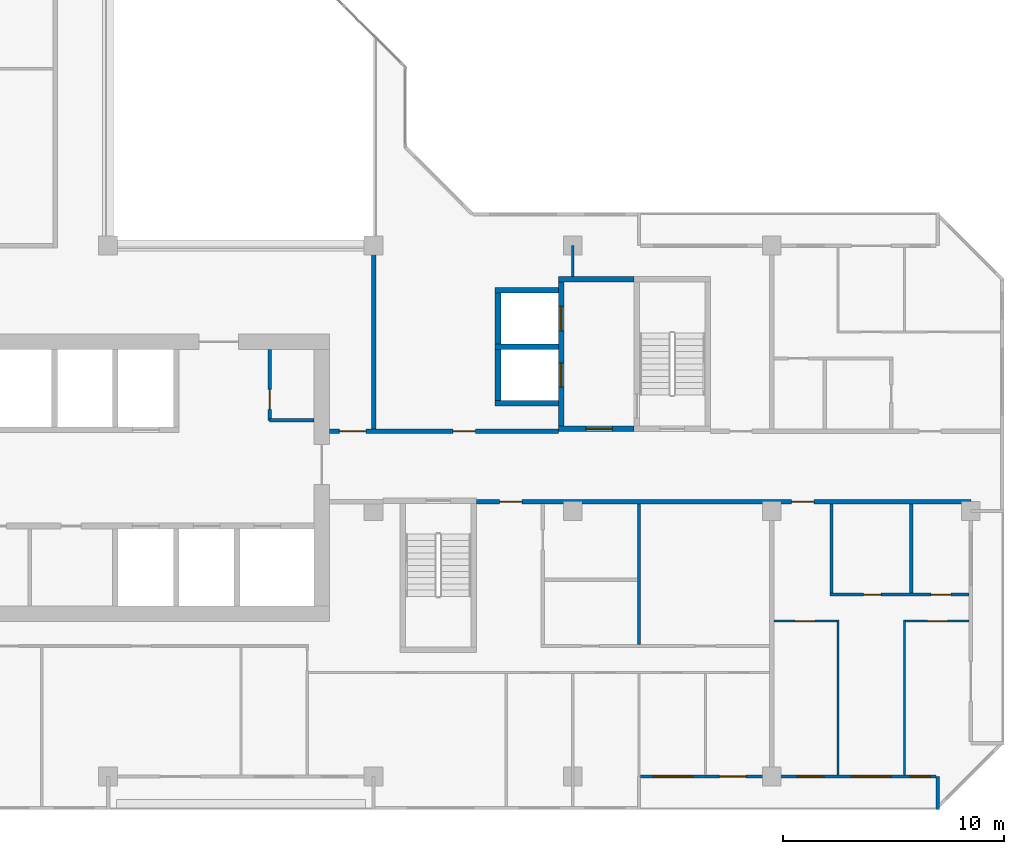
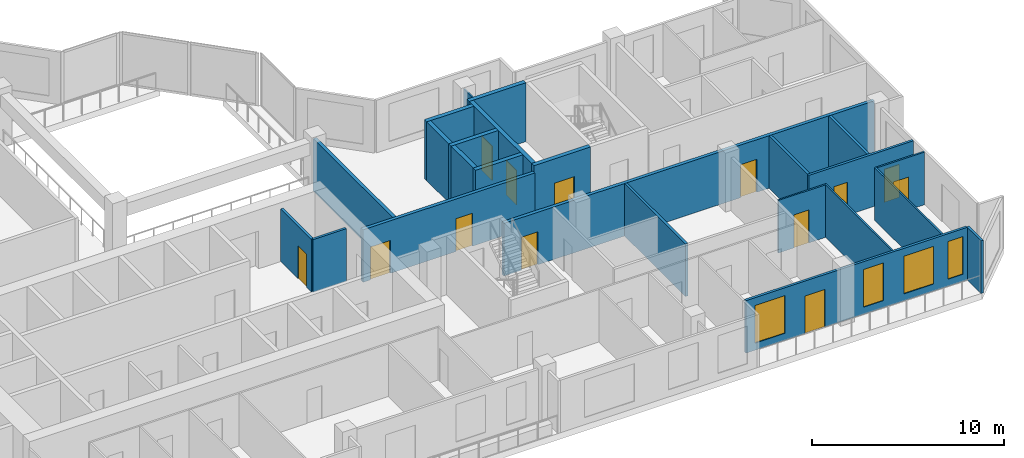
# One storey, part 7 of 16: 24 walls, 13 doors, 4 windows, 17 openings.
"""IFC4 building model written with IfcOpenShell, lengths in metres."""

from ifc_helpers import new_model, si_unit, direction, frame, frame_2d, origin, place, context, subcontext, project, spatial, rectangle, extrude, material, layer, layer_set, type_object, element, fill, save


model = new_model("IFC4")

# Units and contexts
model_context = context("Model", 3, precision=1e-05, world=origin(), true_north=direction((0.0, 1.0)))
body_context = subcontext(model_context, "Body", "Model", "MODEL_VIEW")
ifc_project = project(units=[si_unit("LENGTHUNIT", "METRE"), si_unit("AREAUNIT", "SQUARE_METRE"), si_unit("VOLUMEUNIT", "CUBIC_METRE"), si_unit("PLANEANGLEUNIT", "RADIAN"), si_unit("MASSUNIT", "GRAM", prefix="KILO")], contexts=[model_context])

# Site, building, storey
site_placement = place(None, origin())
site = spatial("IfcSite", under=ifc_project, at=site_placement, CompositionType="ELEMENT")
building_placement = place(site_placement, origin())
building = spatial("IfcBuilding", under=site, at=building_placement, Name="Chenar Terraces", CompositionType="ELEMENT")
storey_placement = place(building_placement, frame((0.0, 0.0, 222.89990234375)))
storey = spatial("IfcBuildingStorey", under=building, at=storey_placement, Name="L52", CompositionType="ELEMENT", Elevation=222.89990234375)

# Wall, opening, door
ifc_material_1 = material(Name="Gypsum board on steel studs", Category="steel")
ifc_layer_1 = layer(ifc_material_1, 0.14990234375)
ifc_layer_set_1 = layer_set([ifc_layer_1], Name="Gypsum board on steel studs")
wall_type_1 = type_object("IfcWallType", Name="Core partition 150 gypsum board", PredefinedType="PARTITIONING", material=ifc_layer_set_1)
wall_1_placement = place(storey_placement, frame((31.300048828125, 16.10009765625, 0.0), z_axis=(0.0, 0.0, 1.0), x_axis=(0.0, 1.0, 0.0)))
wall_1 = element("IfcWall", 1, at=wall_1_placement, inside=storey, type_object=wall_type_1, Name="Core partition CP1 vestibule room west wall", PredefinedType="PARTITIONING", context=body_context, shape_type="SweptSolid", body=[
    extrude(rectangle(XDim=3.199951171875, YDim=0.14990234375, at=frame_2d((1.60009765625, 0.0))), origin(), (0.0, 0.0, 1.0), 3.35009765625),
])
opening_1_placement = place(wall_1_placement, frame((0.5, 0.0, 0.0)))
opening_1 = element("IfcOpeningElement", 2, at=opening_1_placement, cuts=wall_1, Name="Opening DL52-C15", PredefinedType="OPENING", context=body_context, shape_type="SweptSolid", body=[
    extrude(rectangle(XDim=0.89990234375, YDim=2.10009765625, at=frame_2d((0.449951171875, 1.050048828125))), frame((0.0, 0.0849609375, 0.0), z_axis=(0.0, -1.0, 0.0), x_axis=(1.0, 0.0, 0.0)), (0.0, 0.0, 1.0), 0.169921875),
])
ifc_material_2 = material(Name="Steel-framed fire-resisting door leaf", Category="steel")
door_type_1 = type_object("IfcDoorType", Name="Riser fire door FD60 900 x 2100", OperationType="SINGLE_SWING_LEFT", PredefinedType="DOOR", material=ifc_material_2)
door_1_placement = place(opening_1_placement, frame((0.89990234375, 0.0, 0.0), z_axis=(0.0, 0.0, 1.0), x_axis=(-1.0, 0.0, 0.0)))
door_1 = element("IfcDoor", 3, at=door_1_placement, inside=storey, type_object=door_type_1, Name="Core room door DL52-C15", OperationType="SINGLE_SWING_RIGHT", OverallHeight=2.10009765625, OverallWidth=0.89990234375, PredefinedType="DOOR", context=body_context, shape_type="SweptSolid", body=[
    extrude(rectangle(XDim=0.89990234375, YDim=2.10009765625, at=frame_2d((0.449951171875, 1.050048828125))), frame((0.0, 0.02490234375, 0.0), z_axis=(0.0, -1.0, 0.0), x_axis=(1.0, 0.0, 0.0)), (0.0, 0.0, 1.0), 0.050048828125),
])
fill(opening_1, door_1)

# Wall
wall_2_placement = place(storey_placement, frame((31.300048828125, 16.10009765625, 0.0), z_axis=(0.0, 0.0, 1.0), x_axis=(1.0, 0.0, 0.0)))
element("IfcWall", 4, at=wall_2_placement, inside=storey, type_object=wall_type_1, Name="Core partition CP1 vestibule room south wall", PredefinedType="PARTITIONING", context=body_context, shape_type="SweptSolid", body=[
    extrude(rectangle(XDim=2.0, YDim=0.14990234375, at=frame_2d((1.0, 0.0))), origin(), (0.0, 0.0, 1.0), 3.35009765625),
])

# Wall, opening, door
ifc_material_3 = material(Name="Concrete C60/75", Category="concrete")
ifc_layer_2 = layer(ifc_material_3, 0.25)
ifc_layer_set_2 = layer_set([ifc_layer_2], Name="Concrete C60/75")
wall_type_2 = type_object("IfcWallType", Name="Core wall 250 Concrete C60/75", PredefinedType="SHEAR", material=ifc_layer_set_2)
wall_3_placement = place(storey_placement, frame((44.35009765625, 15.72509765625, 0.0), z_axis=(0.0, 0.0, 1.0), x_axis=(1.0, 0.0, 0.0)))
wall_3 = element("IfcWall", 5, at=wall_3_placement, inside=storey, type_object=wall_type_2, Name="Core wall F3_LS L52", PredefinedType="SHEAR", context=body_context, shape_type="SweptSolid", body=[
    extrude(rectangle(XDim=3.4248046875, YDim=0.25, at=frame_2d((1.71240234375, 0.0))), origin(), (0.0, 0.0, 1.0), 3.75),
])
opening_2_placement = place(wall_3_placement, frame((1.25, 0.0, 0.0)))
opening_2 = element("IfcOpeningElement", 6, at=opening_2_placement, cuts=wall_3, Name="Opening DL52-C10", PredefinedType="OPENING", context=body_context, shape_type="SweptSolid", body=[
    extrude(rectangle(XDim=1.199951171875, YDim=2.199951171875, at=frame_2d((0.60009765625, 1.10009765625))), frame((0.0, 0.135009765625, 0.0), z_axis=(0.0, -1.0, 0.0), x_axis=(1.0, 0.0, 0.0)), (0.0, 0.0, 1.0), 0.27001953125),
])
ifc_material_4 = material(Name="Steel-framed fire-resisting door leaf", Category="steel")
door_type_2 = type_object("IfcDoorType", Name="Lobby fire door FD60 1200 x 2200", OperationType="SINGLE_SWING_LEFT", PredefinedType="DOOR", material=ifc_material_4)
door_2_placement = place(opening_2_placement, origin())
door_2 = element("IfcDoor", 7, at=door_2_placement, inside=storey, type_object=door_type_2, Name="Core door DL52-C10", OperationType="SINGLE_SWING_RIGHT", OverallHeight=2.199951171875, OverallWidth=1.199951171875, PredefinedType="DOOR", context=body_context, shape_type="SweptSolid", body=[
    extrude(rectangle(XDim=1.199951171875, YDim=2.199951171875, at=frame_2d((0.60009765625, 1.10009765625))), frame((0.0, 0.02490234375, 0.0), z_axis=(0.0, -1.0, 0.0), x_axis=(1.0, 0.0, 0.0)), (0.0, 0.0, 1.0), 0.050048828125),
])
fill(opening_2, door_2)

# Wall
wall_4_placement = place(storey_placement, frame((44.35009765625, 22.47509765625, 0.0), z_axis=(0.0, 0.0, 1.0), x_axis=(1.0, 0.0, 0.0)))
element("IfcWall", 8, at=wall_4_placement, inside=storey, type_object=wall_type_2, Name="Core wall F3_LN L52", PredefinedType="SHEAR", context=body_context, shape_type="SweptSolid", body=[
    extrude(rectangle(XDim=3.4248046875, YDim=0.25, at=frame_2d((1.71240234375, 0.0))), origin(), (0.0, 0.0, 1.0), 3.75),
])

# Wall, openings, doors
wall_5_placement = place(storey_placement, frame((44.47509765625, 15.85009765625, 0.0), z_axis=(0.0, 0.0, 1.0), x_axis=(0.0, 1.0, 0.0)))
wall_5 = element("IfcWall", 9, at=wall_5_placement, inside=storey, type_object=wall_type_2, Name="Core wall F3_LW L52", PredefinedType="SHEAR", context=body_context, shape_type="SweptSolid", body=[
    extrude(rectangle(XDim=6.5, YDim=0.25, at=frame_2d((3.25, 0.0))), origin(), (0.0, 0.0, 1.0), 3.75),
])
opening_3_placement = place(wall_5_placement, frame((1.75, 0.0, 0.0)))
opening_3 = element("IfcOpeningElement", 10, at=opening_3_placement, cuts=wall_5, Name="Opening DL52-LD8", PredefinedType="OPENING", context=body_context, shape_type="SweptSolid", body=[
    extrude(rectangle(XDim=1.10009765625, YDim=2.199951171875, at=frame_2d((0.550048828125, 1.10009765625))), frame((0.0, 0.135009765625, 0.0), z_axis=(0.0, -1.0, 0.0), x_axis=(1.0, 0.0, 0.0)), (0.0, 0.0, 1.0), 0.27001953125),
])
opening_4_placement = place(wall_5_placement, frame((4.300048828125, 0.0, 0.0)))
opening_4 = element("IfcOpeningElement", 11, at=opening_4_placement, cuts=wall_5, Name="Opening DL52-LD9", PredefinedType="OPENING", context=body_context, shape_type="SweptSolid", body=[
    extrude(rectangle(XDim=1.10009765625, YDim=2.199951171875, at=frame_2d((0.550048828125, 1.10009765625))), frame((0.0, 0.135009765625, 0.0), z_axis=(0.0, -1.0, 0.0), x_axis=(1.0, 0.0, 0.0)), (0.0, 0.0, 1.0), 0.27001953125),
])
ifc_material_5 = material(Name="Stainless steel", Category="steel")
door_type_3 = type_object("IfcDoorType", Name="Lift landing door 1100 x 2200 sliding", OperationType="DOUBLE_DOOR_SLIDING", PredefinedType="DOOR", material=ifc_material_5)
door_3_placement = place(opening_3_placement, origin())
door_3 = element("IfcDoor", 12, at=door_3_placement, inside=storey, type_object=door_type_3, Name="Landing door F3", OperationType="DOUBLE_DOOR_SLIDING", OverallHeight=2.199951171875, OverallWidth=1.10009765625, PredefinedType="DOOR", context=body_context, shape_type="SweptSolid", body=[
    extrude(rectangle(XDim=1.10009765625, YDim=2.199951171875, at=frame_2d((0.550048828125, 1.10009765625))), frame((0.0, 0.02490234375, 0.0), z_axis=(0.0, -1.0, 0.0), x_axis=(1.0, 0.0, 0.0)), (0.0, 0.0, 1.0), 0.050048828125),
])
fill(opening_3, door_3)
door_4_placement = place(opening_4_placement, origin())
door_4 = element("IfcDoor", 13, at=door_4_placement, inside=storey, type_object=door_type_3, Name="Landing door F4", OperationType="DOUBLE_DOOR_SLIDING", OverallHeight=2.199951171875, OverallWidth=1.10009765625, PredefinedType="DOOR", context=body_context, shape_type="SweptSolid", body=[
    extrude(rectangle(XDim=1.10009765625, YDim=2.199951171875, at=frame_2d((0.550048828125, 1.10009765625))), frame((0.0, 0.02490234375, 0.0), z_axis=(0.0, -1.0, 0.0), x_axis=(1.0, 0.0, 0.0)), (0.0, 0.0, 1.0), 0.050048828125),
])
fill(opening_4, door_4)

# Walls
for number, where, z_axis, x_axis, name in (
    (14, (41.5, 16.875, 0.0), (0.0, 0.0, 1.0), (1.0, 0.0, 0.0), "Core wall F3_SS L52"),
    (15, (41.5, 19.425048828125, 0.0), (0.0, 0.0, 1.0), (1.0, 0.0, 0.0), "Core wall F3_SM L52"),
    (16, (41.5, 21.97509765625, 0.0), (0.0, 0.0, 1.0), (1.0, 0.0, 0.0), "Core wall F4_SN L52"),
):
    element("IfcWall", number, at=place(storey_placement, frame(where, z_axis=z_axis, x_axis=x_axis)), inside=storey, type_object=wall_type_2, Name=name, PredefinedType="SHEAR", context=body_context, shape_type="SweptSolid", body=[
        extrude(rectangle(XDim=2.85009765625, YDim=0.25, at=frame_2d((1.425048828125, 0.0))), origin(), (0.0, 0.0, 1.0), 3.75),
    ])
for number, where, z_axis, x_axis, name in (
    (17, (41.625, 17.0, 0.0), (0.0, 0.0, 1.0), (0.0, 1.0, 0.0), "Core wall F3_SW L52"),
    (18, (41.625, 19.550048828125, 0.0), (0.0, 0.0, 1.0), (0.0, 1.0, 0.0), "Core wall F4_SW L52"),
):
    element("IfcWall", number, at=place(storey_placement, frame(where, z_axis=z_axis, x_axis=x_axis)), inside=storey, type_object=wall_type_2, Name=name, PredefinedType="SHEAR", context=body_context, shape_type="SweptSolid", body=[
        extrude(rectangle(XDim=2.300048828125, YDim=0.25, at=frame_2d((1.14990234375, 0.0))), origin(), (0.0, 0.0, 1.0), 3.75),
    ])

# Wall, openings, doors
ifc_material_6 = material(Name="Gypsum board on steel studs with fire boards", Category="steel")
ifc_layer_3 = layer(ifc_material_6, 0.199951171875)
ifc_layer_set_3 = layer_set([ifc_layer_3], Name="Gypsum board on steel studs with fire boards")
wall_type_3 = type_object("IfcWallType", Name="Corridor wall 200", PredefinedType="PARTITIONING", material=ifc_layer_set_3)
wall_6_placement = place(storey_placement, frame((34.0, 15.60009765625, 0.0), z_axis=(0.0, 0.0, 1.0), x_axis=(1.0, 0.0, 0.0)))
wall_6 = element("IfcWall", 19, at=wall_6_placement, inside=storey, type_object=wall_type_3, Name="Partition L52-064", PredefinedType="PARTITIONING", context=body_context, shape_type="SweptSolid", body=[
    extrude(rectangle(XDim=10.35009765625, YDim=0.199951171875, at=frame_2d((5.175048828125, 0.0))), origin(), (0.0, 0.0, 1.0), 3.35009765625),
])
opening_5_placement = place(wall_6_placement, frame((5.60009765625, 0.0, 0.0)))
opening_5 = element("IfcOpeningElement", 20, at=opening_5_placement, cuts=wall_6, Name="Opening DL52-3", PredefinedType="OPENING", context=body_context, shape_type="SweptSolid", body=[
    extrude(rectangle(XDim=1.0, YDim=2.10009765625, at=frame_2d((0.5, 1.050048828125))), frame((0.0, 0.10986328125, 0.0), z_axis=(0.0, -1.0, 0.0), x_axis=(1.0, 0.0, 0.0)), (0.0, 0.0, 1.0), 0.219970703125),
])
opening_6_placement = place(wall_6_placement, frame((0.449951171875, 0.0, 0.0)))
opening_6 = element("IfcOpeningElement", 21, at=opening_6_placement, cuts=wall_6, Name="Opening DL52-38", PredefinedType="OPENING", context=body_context, shape_type="SweptSolid", body=[
    extrude(rectangle(XDim=1.199951171875, YDim=2.10009765625, at=frame_2d((0.60009765625, 1.050048828125))), frame((0.0, 0.10986328125, 0.0), z_axis=(0.0, -1.0, 0.0), x_axis=(1.0, 0.0, 0.0)), (0.0, 0.0, 1.0), 0.219970703125),
])
ifc_material_7 = material(Name="Steel-framed fire-resisting door leaf", Category="steel")
door_type_4 = type_object("IfcDoorType", Name="Fire door FD60 1000 x 2100", OperationType="SINGLE_SWING_LEFT", PredefinedType="DOOR", material=ifc_material_7)
door_5_placement = place(opening_5_placement, origin())
door_5 = element("IfcDoor", 22, at=door_5_placement, inside=storey, type_object=door_type_4, Name="Door DL52-3", OperationType="SINGLE_SWING_RIGHT", OverallHeight=2.10009765625, OverallWidth=1.0, PredefinedType="DOOR", context=body_context, shape_type="SweptSolid", body=[
    extrude(rectangle(XDim=1.0, YDim=2.10009765625, at=frame_2d((0.5, 1.050048828125))), frame((0.0, 0.02490234375, 0.0), z_axis=(0.0, -1.0, 0.0), x_axis=(1.0, 0.0, 0.0)), (0.0, 0.0, 1.0), 0.050048828125),
])
fill(opening_5, door_5)
ifc_material_8 = material(Name="Steel-framed fire-resisting door leaf", Category="steel")
door_type_5 = type_object("IfcDoorType", Name="Fire door FD60 1200 x 2100", OperationType="SINGLE_SWING_LEFT", PredefinedType="DOOR", material=ifc_material_8)
door_6_placement = place(opening_6_placement, origin())
door_6 = element("IfcDoor", 23, at=door_6_placement, inside=storey, type_object=door_type_5, Name="Door DL52-38", OperationType="SINGLE_SWING_RIGHT", OverallHeight=2.10009765625, OverallWidth=1.199951171875, PredefinedType="DOOR", context=body_context, shape_type="SweptSolid", body=[
    extrude(rectangle(XDim=1.199951171875, YDim=2.10009765625, at=frame_2d((0.60009765625, 1.050048828125))), frame((0.0, 0.02490234375, 0.0), z_axis=(0.0, -1.0, 0.0), x_axis=(1.0, 0.0, 0.0)), (0.0, 0.0, 1.0), 0.050048828125),
])
fill(opening_6, door_6)

# Wall
wall_7_placement = place(storey_placement, frame((36.0, 15.699951171875, 0.0), z_axis=(0.0, 0.0, 1.0), x_axis=(0.0, 1.0, 0.0)))
element("IfcWall", 24, at=wall_7_placement, inside=storey, type_object=wall_type_3, Name="Partition L52-065", PredefinedType="PARTITIONING", context=body_context, shape_type="SweptSolid", body=[
    extrude(rectangle(XDim=8.300048828125, YDim=0.199951171875, at=frame_2d((4.14990234375, 0.0))), origin(), (0.0, 0.0, 1.0), 3.35009765625),
])

# Wall, openings, doors
wall_8_placement = place(storey_placement, frame((40.64990234375, 12.425048828125, 0.0), z_axis=(0.0, 0.0, 1.0), x_axis=(1.0, 0.0, 0.0)))
wall_8 = element("IfcWall", 25, at=wall_8_placement, inside=storey, type_object=wall_type_3, Name="Partition L52-066", PredefinedType="PARTITIONING", context=body_context, shape_type="SweptSolid", body=[
    extrude(rectangle(XDim=22.35009765625, YDim=0.199951171875, at=frame_2d((11.175048828125, 0.0))), origin(), (0.0, 0.0, 1.0), 3.35009765625),
])
opening_7_placement = place(wall_8_placement, frame((14.25, 0.0, 0.0)))
opening_7 = element("IfcOpeningElement", 26, at=opening_7_placement, cuts=wall_8, Name="Opening DL52-13", PredefinedType="OPENING", context=body_context, shape_type="SweptSolid", body=[
    extrude(rectangle(XDim=1.0, YDim=2.10009765625, at=frame_2d((0.5, 1.050048828125))), frame((0.0, 0.10986328125, 0.0), z_axis=(0.0, -1.0, 0.0), x_axis=(1.0, 0.0, 0.0)), (0.0, 0.0, 1.0), 0.219970703125),
])
opening_8_placement = place(wall_8_placement, frame((1.050048828125, 0.0, 0.0)))
opening_8 = element("IfcOpeningElement", 27, at=opening_8_placement, cuts=wall_8, Name="Opening DL52-56", PredefinedType="OPENING", context=body_context, shape_type="SweptSolid", body=[
    extrude(rectangle(XDim=1.0, YDim=2.10009765625, at=frame_2d((0.5, 1.050048828125))), frame((0.0, 0.10986328125, 0.0), z_axis=(0.0, -1.0, 0.0), x_axis=(1.0, 0.0, 0.0)), (0.0, 0.0, 1.0), 0.219970703125),
])
ifc_material_9 = material(Name="Steel-framed fire-resisting door leaf", Category="steel")
door_type_6 = type_object("IfcDoorType", Name="Fire door FD30S 1000 x 2100", OperationType="SINGLE_SWING_LEFT", PredefinedType="DOOR", material=ifc_material_9)
door_7_placement = place(opening_7_placement, frame((1.0, 0.0, 0.0), z_axis=(0.0, 0.0, 1.0), x_axis=(-1.0, 0.0, 0.0)))
door_7 = element("IfcDoor", 28, at=door_7_placement, inside=storey, type_object=door_type_6, Name="Door DL52-13", OperationType="SINGLE_SWING_RIGHT", OverallHeight=2.10009765625, OverallWidth=1.0, PredefinedType="DOOR", context=body_context, shape_type="SweptSolid", body=[
    extrude(rectangle(XDim=1.0, YDim=2.10009765625, at=frame_2d((0.5, 1.050048828125))), frame((0.0, 0.02490234375, 0.0), z_axis=(0.0, -1.0, 0.0), x_axis=(1.0, 0.0, 0.0)), (0.0, 0.0, 1.0), 0.050048828125),
])
fill(opening_7, door_7)
door_8_placement = place(opening_8_placement, origin())
door_8 = element("IfcDoor", 29, at=door_8_placement, inside=storey, type_object=door_type_6, Name="Door DL52-56", OperationType="SINGLE_SWING_LEFT", OverallHeight=2.10009765625, OverallWidth=1.0, PredefinedType="DOOR", context=body_context, shape_type="SweptSolid", body=[
    extrude(rectangle(XDim=1.0, YDim=2.10009765625, at=frame_2d((0.5, 1.050048828125))), frame((0.0, 0.02490234375, 0.0), z_axis=(0.0, -1.0, 0.0), x_axis=(1.0, 0.0, 0.0)), (0.0, 0.0, 1.0), 0.050048828125),
])
fill(opening_8, door_8)

# Wall, openings, windows, door
ifc_material_10 = material(Name="Aluminium framed glazing", Category="aluminium")
ifc_layer_4 = layer(ifc_material_10, 0.14990234375)
ifc_layer_set_4 = layer_set([ifc_layer_4], Name="Aluminium framed glazing")
wall_type_4 = type_object("IfcWallType", Name="Glazed loggia back wall 150", PredefinedType="SOLIDWALL", material=ifc_layer_set_4)
wall_9_placement = place(storey_placement, frame((48.074951171875, 0.0, 0.0), z_axis=(0.0, 0.0, 1.0), x_axis=(1.0, 0.0, 0.0)))
wall_9 = element("IfcWall", 30, at=wall_9_placement, inside=storey, type_object=wall_type_4, Name="Glazed loggia back wall", PredefinedType="SOLIDWALL", context=body_context, shape_type="SweptSolid", body=[
    extrude(rectangle(XDim=13.35009765625, YDim=0.14990234375, at=frame_2d((6.675048828125, 0.0))), origin(), (0.0, 0.0, 1.0), 3.35009765625),
])
opening_9_placement = place(wall_9_placement, frame((0.5625, 0.0, 0.449951171875)))
opening_9 = element("IfcOpeningElement", 31, at=opening_9_placement, cuts=wall_9, Name="Opening W180x240", PredefinedType="OPENING", context=body_context, shape_type="SweptSolid", body=[
    extrude(rectangle(XDim=1.800048828125, YDim=2.39990234375, at=frame_2d((0.89990234375, 1.199951171875))), frame((0.0, 0.0849609375, 0.0), z_axis=(0.0, -1.0, 0.0), x_axis=(1.0, 0.0, 0.0)), (0.0, 0.0, 1.0), 0.169921875),
])
opening_10_placement = place(wall_9_placement, frame((3.5625, 0.0, 0.0)))
opening_10 = element("IfcOpeningElement", 32, at=opening_10_placement, cuts=wall_9, Name="Opening DL52-G7", PredefinedType="OPENING", context=body_context, shape_type="SweptSolid", body=[
    extrude(rectangle(XDim=1.199951171875, YDim=2.39990234375, at=frame_2d((0.60009765625, 1.199951171875))), frame((0.0, 0.0849609375, 0.0), z_axis=(0.0, -1.0, 0.0), x_axis=(1.0, 0.0, 0.0)), (0.0, 0.0, 1.0), 0.169921875),
])
opening_11_placement = place(wall_9_placement, frame((7.08740234375, 0.0, 0.449951171875)))
opening_11 = element("IfcOpeningElement", 33, at=opening_11_placement, cuts=wall_9, Name="Opening W120x240", PredefinedType="OPENING", context=body_context, shape_type="SweptSolid", body=[
    extrude(rectangle(XDim=1.199951171875, YDim=2.39990234375, at=frame_2d((0.60009765625, 1.199951171875))), frame((0.0, 0.0849609375, 0.0), z_axis=(0.0, -1.0, 0.0), x_axis=(1.0, 0.0, 0.0)), (0.0, 0.0, 1.0), 0.169921875),
])
opening_12_placement = place(wall_9_placement, frame((9.52490234375, 0.0, 0.449951171875)))
opening_12 = element("IfcOpeningElement", 34, at=opening_12_placement, cuts=wall_9, Name="Opening W180x240", PredefinedType="OPENING", context=body_context, shape_type="SweptSolid", body=[
    extrude(rectangle(XDim=1.800048828125, YDim=2.39990234375, at=frame_2d((0.89990234375, 1.199951171875))), frame((0.0, 0.0849609375, 0.0), z_axis=(0.0, -1.0, 0.0), x_axis=(1.0, 0.0, 0.0)), (0.0, 0.0, 1.0), 0.169921875),
])
opening_13_placement = place(wall_9_placement, frame((12.1875, 0.0, 0.449951171875)))
opening_13 = element("IfcOpeningElement", 35, at=opening_13_placement, cuts=wall_9, Name="Opening W90x240", PredefinedType="OPENING", context=body_context, shape_type="SweptSolid", body=[
    extrude(rectangle(XDim=0.89990234375, YDim=2.39990234375, at=frame_2d((0.449951171875, 1.199951171875))), frame((0.0, 0.0849609375, 0.0), z_axis=(0.0, -1.0, 0.0), x_axis=(1.0, 0.0, 0.0)), (0.0, 0.0, 1.0), 0.169921875),
])
ifc_material_11 = material(Name="Low emissivity double glazing, aluminium frame", Category="aluminium")
window_type_1 = type_object("IfcWindowType", Name="Fixed light 1200 x 2400", PartitioningType="SINGLE_PANEL", PredefinedType="WINDOW", material=ifc_material_11)
window_1_placement = place(opening_11_placement, origin())
window_1 = element("IfcWindow", 36, at=window_1_placement, inside=storey, type_object=window_type_1, Name="Window", OverallHeight=2.39990234375, OverallWidth=1.199951171875, PartitioningType="SINGLE_PANEL", PredefinedType="WINDOW", context=body_context, shape_type="SweptSolid", body=[
    extrude(rectangle(XDim=1.199951171875, YDim=2.39990234375, at=frame_2d((0.60009765625, 1.199951171875))), frame((0.0, 0.030029296875, 0.0), z_axis=(0.0, -1.0, 0.0), x_axis=(1.0, 0.0, 0.0)), (0.0, 0.0, 1.0), 0.06005859375),
])
fill(opening_11, window_1)
ifc_material_12 = material(Name="Low emissivity double glazing, aluminium frame", Category="aluminium")
window_type_2 = type_object("IfcWindowType", Name="Fixed light 1800 x 2400", PartitioningType="SINGLE_PANEL", PredefinedType="WINDOW", material=ifc_material_12)
window_2_placement = place(opening_9_placement, origin())
window_2 = element("IfcWindow", 37, at=window_2_placement, inside=storey, type_object=window_type_2, Name="Window", OverallHeight=2.39990234375, OverallWidth=1.800048828125, PartitioningType="SINGLE_PANEL", PredefinedType="WINDOW", context=body_context, shape_type="SweptSolid", body=[
    extrude(rectangle(XDim=1.800048828125, YDim=2.39990234375, at=frame_2d((0.89990234375, 1.199951171875))), frame((0.0, 0.030029296875, 0.0), z_axis=(0.0, -1.0, 0.0), x_axis=(1.0, 0.0, 0.0)), (0.0, 0.0, 1.0), 0.06005859375),
])
fill(opening_9, window_2)
window_3_placement = place(opening_12_placement, origin())
window_3 = element("IfcWindow", 38, at=window_3_placement, inside=storey, type_object=window_type_2, Name="Window", OverallHeight=2.39990234375, OverallWidth=1.800048828125, PartitioningType="SINGLE_PANEL", PredefinedType="WINDOW", context=body_context, shape_type="SweptSolid", body=[
    extrude(rectangle(XDim=1.800048828125, YDim=2.39990234375, at=frame_2d((0.89990234375, 1.199951171875))), frame((0.0, 0.030029296875, 0.0), z_axis=(0.0, -1.0, 0.0), x_axis=(1.0, 0.0, 0.0)), (0.0, 0.0, 1.0), 0.06005859375),
])
fill(opening_12, window_3)
ifc_material_13 = material(Name="Low emissivity double glazing, aluminium frame", Category="aluminium")
window_type_3 = type_object("IfcWindowType", Name="Fixed light 900 x 2400", PartitioningType="SINGLE_PANEL", PredefinedType="WINDOW", material=ifc_material_13)
window_4_placement = place(opening_13_placement, origin())
window_4 = element("IfcWindow", 39, at=window_4_placement, inside=storey, type_object=window_type_3, Name="Window", OverallHeight=2.39990234375, OverallWidth=0.89990234375, PartitioningType="SINGLE_PANEL", PredefinedType="WINDOW", context=body_context, shape_type="SweptSolid", body=[
    extrude(rectangle(XDim=0.89990234375, YDim=2.39990234375, at=frame_2d((0.449951171875, 1.199951171875))), frame((0.0, 0.030029296875, 0.0), z_axis=(0.0, -1.0, 0.0), x_axis=(1.0, 0.0, 0.0)), (0.0, 0.0, 1.0), 0.06005859375),
])
fill(opening_13, window_4)
ifc_material_14 = material(Name="Low emissivity double glazing, aluminium frame", Category="aluminium")
door_type_7 = type_object("IfcDoorType", Name="Loggia glazed double door 1200 x 2400", OperationType="DOUBLE_DOOR_SINGLE_SWING", PredefinedType="DOOR", material=ifc_material_14)
door_9_placement = place(opening_10_placement, frame((1.199951171875, 0.0, 0.0), z_axis=(0.0, 0.0, 1.0), x_axis=(-1.0, 0.0, 0.0)))
door_9 = element("IfcDoor", 40, at=door_9_placement, inside=storey, type_object=door_type_7, Name="Loggia glazed door", OperationType="DOUBLE_DOOR_SINGLE_SWING", OverallHeight=2.39990234375, OverallWidth=1.199951171875, PredefinedType="DOOR", context=body_context, shape_type="SweptSolid", body=[
    extrude(rectangle(XDim=1.199951171875, YDim=2.39990234375, at=frame_2d((0.60009765625, 1.199951171875))), frame((0.0, 0.02490234375, 0.0), z_axis=(0.0, -1.0, 0.0), x_axis=(1.0, 0.0, 0.0)), (0.0, 0.0, 1.0), 0.050048828125),
])
fill(opening_10, door_9)

# Wall
ifc_material_15 = material(Name="Gypsum board on steel studs", Category="steel")
ifc_layer_5 = layer(ifc_material_15, 0.10009765625)
ifc_layer_set_5 = layer_set([ifc_layer_5], Name="Gypsum board on steel studs")
wall_type_5 = type_object("IfcWallType", Name="Gypsum partition 100", PredefinedType="PARTITIONING", material=ifc_layer_set_5)
wall_10_placement = place(storey_placement, frame((45.0, 22.60009765625, 0.0), z_axis=(0.0, 0.0, 1.0), x_axis=(0.0, 1.0, 0.0)))
element("IfcWall", 41, at=wall_10_placement, inside=storey, type_object=wall_type_5, Name="Partition L52-072", PredefinedType="PARTITIONING", context=body_context, shape_type="SweptSolid", body=[
    extrude(rectangle(XDim=1.39990234375, YDim=0.10009765625, at=frame_2d((0.699951171875, 0.0))), origin(), (0.0, 0.0, 1.0), 3.35009765625),
])

# Wall, opening, door
wall_11_placement = place(storey_placement, frame((54.10009765625, 7.02490234375, 0.0), z_axis=(0.0, 0.0, 1.0), x_axis=(1.0, 0.0, 0.0)))
wall_11 = element("IfcWall", 42, at=wall_11_placement, inside=storey, type_object=wall_type_5, Name="Partition L52-079", PredefinedType="PARTITIONING", context=body_context, shape_type="SweptSolid", body=[
    extrude(rectangle(XDim=2.849853515625, YDim=0.10009765625, at=frame_2d((1.4248046875, 0.0))), origin(), (0.0, 0.0, 1.0), 3.35009765625),
])
opening_14_placement = place(wall_11_placement, frame((0.949951171875, 0.0, 0.0)))
opening_14 = element("IfcOpeningElement", 43, at=opening_14_placement, cuts=wall_11, Name="Opening DL52-10", PredefinedType="OPENING", context=body_context, shape_type="SweptSolid", body=[
    extrude(rectangle(XDim=0.89990234375, YDim=2.10009765625, at=frame_2d((0.449951171875, 1.050048828125))), frame((0.0, 0.06005859375, 0.0), z_axis=(0.0, -1.0, 0.0), x_axis=(1.0, 0.0, 0.0)), (0.0, 0.0, 1.0), 0.1201171875),
])
ifc_material_16 = material(Name="Veneered timber door leaf", Category="wood")
door_type_8 = type_object("IfcDoorType", Name="Door 900 x 2100", OperationType="SINGLE_SWING_LEFT", PredefinedType="DOOR", material=ifc_material_16)
door_10_placement = place(opening_14_placement, frame((0.89990234375, 0.0, 0.0), z_axis=(0.0, 0.0, 1.0), x_axis=(-1.0, 0.0, 0.0)))
door_10 = element("IfcDoor", 44, at=door_10_placement, inside=storey, type_object=door_type_8, Name="Door DL52-10", OperationType="SINGLE_SWING_LEFT", OverallHeight=2.10009765625, OverallWidth=0.89990234375, PredefinedType="DOOR", context=body_context, shape_type="SweptSolid", body=[
    extrude(rectangle(XDim=0.89990234375, YDim=2.10009765625, at=frame_2d((0.449951171875, 1.050048828125))), frame((0.0, 0.02490234375, 0.0), z_axis=(0.0, -1.0, 0.0), x_axis=(1.0, 0.0, 0.0)), (0.0, 0.0, 1.0), 0.050048828125),
])
fill(opening_14, door_10)

# Walls
for number, where, z_axis, x_axis, name in (
    (45, (57.0, 0.073974609375, 0.0), (0.0, 0.0, 1.0), (0.0, 1.0, 0.0), "Partition L52-085"),
    (46, (60.0, 0.073974609375, 0.0), (0.0, 0.0, 1.0), (0.0, 1.0, 0.0), "Partition L52-088"),
):
    element("IfcWall", number, at=place(storey_placement, frame(where, z_axis=z_axis, x_axis=x_axis)), inside=storey, type_object=wall_type_5, Name=name, PredefinedType="PARTITIONING", context=body_context, shape_type="SweptSolid", body=[
        extrude(rectangle(XDim=7.0009765625, YDim=0.10009765625, at=frame_2d((3.50048828125, 0.0))), origin(), (0.0, 0.0, 1.0), 3.35009765625),
    ])

# Wall, opening, door
wall_12_placement = place(storey_placement, frame((60.050048828125, 7.02490234375, 0.0), z_axis=(0.0, 0.0, 1.0), x_axis=(1.0, 0.0, 0.0)))
wall_12 = element("IfcWall", 47, at=wall_12_placement, inside=storey, type_object=wall_type_5, Name="Partition L52-090", PredefinedType="PARTITIONING", context=body_context, shape_type="SweptSolid", body=[
    extrude(rectangle(XDim=2.8759765625, YDim=0.10009765625, at=frame_2d((1.43798828125, 0.0))), origin(), (0.0, 0.0, 1.0), 3.35009765625),
])
opening_15_placement = place(wall_12_placement, frame((1.0, 0.0, 0.0)))
opening_15 = element("IfcOpeningElement", 48, at=opening_15_placement, cuts=wall_12, Name="Opening DL52-11", PredefinedType="OPENING", context=body_context, shape_type="SweptSolid", body=[
    extrude(rectangle(XDim=0.89990234375, YDim=2.10009765625, at=frame_2d((0.449951171875, 1.050048828125))), frame((0.0, 0.06005859375, 0.0), z_axis=(0.0, -1.0, 0.0), x_axis=(1.0, 0.0, 0.0)), (0.0, 0.0, 1.0), 0.1201171875),
])
door_11_placement = place(opening_15_placement, frame((0.89990234375, 0.0, 0.0), z_axis=(0.0, 0.0, 1.0), x_axis=(-1.0, 0.0, 0.0)))
door_11 = element("IfcDoor", 49, at=door_11_placement, inside=storey, type_object=door_type_8, Name="Door DL52-11", OperationType="SINGLE_SWING_LEFT", OverallHeight=2.10009765625, OverallWidth=0.89990234375, PredefinedType="DOOR", context=body_context, shape_type="SweptSolid", body=[
    extrude(rectangle(XDim=0.89990234375, YDim=2.10009765625, at=frame_2d((0.449951171875, 1.050048828125))), frame((0.0, 0.02490234375, 0.0), z_axis=(0.0, -1.0, 0.0), x_axis=(1.0, 0.0, 0.0)), (0.0, 0.0, 1.0), 0.050048828125),
])
fill(opening_15, door_11)

# Walls
ifc_material_17 = material(Name="Terracotta cladding on insulated backing", Category="masonry")
ifc_layer_6 = layer(ifc_material_17, 0.14990234375)
ifc_layer_set_6 = layer_set([ifc_layer_6], Name="Terracotta cladding on insulated backing")
wall_type_6 = type_object("IfcWallType", Name="Loggia return wall 150", PredefinedType="SOLIDWALL", material=ifc_layer_set_6)
wall_13_placement = place(storey_placement, frame((61.5, -1.5, 0.0), z_axis=(0.0, 0.0, 1.0), x_axis=(0.0, 1.0, 0.0)))
element("IfcWall", 50, at=wall_13_placement, inside=storey, type_object=wall_type_6, Name="Loggia return wall", PredefinedType="SOLIDWALL", context=body_context, shape_type="SweptSolid", body=[
    extrude(rectangle(XDim=1.5, YDim=0.14990234375, at=frame_2d((0.75, 0.0))), origin(), (0.0, 0.0, 1.0), 3.35009765625),
])
ifc_material_18 = material(Name="Moisture-resistant gypsum board on steel studs", Category="steel")
ifc_layer_7 = layer(ifc_material_18, 0.14990234375)
ifc_layer_set_7 = layer_set([ifc_layer_7], Name="Moisture-resistant gypsum board on steel studs")
wall_type_7 = type_object("IfcWallType", Name="Wet-room partition 150", PredefinedType="PARTITIONING", material=ifc_layer_set_7)
wall_14_placement = place(storey_placement, frame((48.0, 5.97509765625, 0.0), z_axis=(0.0, 0.0, 1.0), x_axis=(0.0, 1.0, 0.0)))
element("IfcWall", 51, at=wall_14_placement, inside=storey, type_object=wall_type_7, Name="Partition L52-074", PredefinedType="PARTITIONING", context=body_context, shape_type="SweptSolid", body=[
    extrude(rectangle(XDim=6.349853515625, YDim=0.14990234375, at=frame_2d((3.1748046875, 0.0))), origin(), (0.0, 0.0, 1.0), 3.35009765625),
])

# Wall, openings, doors
wall_15_placement = place(storey_placement, frame((56.625, 8.22509765625, 0.0), z_axis=(0.0, 0.0, 1.0), x_axis=(1.0, 0.0, 0.0)))
wall_15 = element("IfcWall", 52, at=wall_15_placement, inside=storey, type_object=wall_type_7, Name="Partition L52-082", PredefinedType="PARTITIONING", context=body_context, shape_type="SweptSolid", body=[
    extrude(rectangle(XDim=6.301025390625, YDim=0.14990234375, at=frame_2d((3.150390625, 0.0))), origin(), (0.0, 0.0, 1.0), 3.35009765625),
])
opening_16_placement = place(wall_15_placement, frame((1.52490234375, 0.0, 0.0)))
opening_16 = element("IfcOpeningElement", 53, at=opening_16_placement, cuts=wall_15, Name="Opening DL52-9", PredefinedType="OPENING", context=body_context, shape_type="SweptSolid", body=[
    extrude(rectangle(XDim=0.800048828125, YDim=2.10009765625, at=frame_2d((0.39990234375, 1.050048828125))), frame((0.0, 0.0849609375, 0.0), z_axis=(0.0, -1.0, 0.0), x_axis=(1.0, 0.0, 0.0)), (0.0, 0.0, 1.0), 0.169921875),
])
opening_17_placement = place(wall_15_placement, frame((4.574951171875, 0.0, 0.0)))
opening_17 = element("IfcOpeningElement", 54, at=opening_17_placement, cuts=wall_15, Name="Opening DL52-12", PredefinedType="OPENING", context=body_context, shape_type="SweptSolid", body=[
    extrude(rectangle(XDim=0.89990234375, YDim=2.10009765625, at=frame_2d((0.449951171875, 1.050048828125))), frame((0.0, 0.0849609375, 0.0), z_axis=(0.0, -1.0, 0.0), x_axis=(1.0, 0.0, 0.0)), (0.0, 0.0, 1.0), 0.169921875),
])
ifc_material_19 = material(Name="Veneered timber door leaf", Category="wood")
door_type_9 = type_object("IfcDoorType", Name="Door 800 x 2100", OperationType="SINGLE_SWING_LEFT", PredefinedType="DOOR", material=ifc_material_19)
door_12_placement = place(opening_16_placement, origin())
door_12 = element("IfcDoor", 55, at=door_12_placement, inside=storey, type_object=door_type_9, Name="Door DL52-9", OperationType="SINGLE_SWING_RIGHT", OverallHeight=2.10009765625, OverallWidth=0.800048828125, PredefinedType="DOOR", context=body_context, shape_type="SweptSolid", body=[
    extrude(rectangle(XDim=0.800048828125, YDim=2.10009765625, at=frame_2d((0.39990234375, 1.050048828125))), frame((0.0, 0.02490234375, 0.0), z_axis=(0.0, -1.0, 0.0), x_axis=(1.0, 0.0, 0.0)), (0.0, 0.0, 1.0), 0.050048828125),
])
fill(opening_16, door_12)
door_13_placement = place(opening_17_placement, origin())
door_13 = element("IfcDoor", 56, at=door_13_placement, inside=storey, type_object=door_type_8, Name="Door DL52-12", OperationType="SINGLE_SWING_RIGHT", OverallHeight=2.10009765625, OverallWidth=0.89990234375, PredefinedType="DOOR", context=body_context, shape_type="SweptSolid", body=[
    extrude(rectangle(XDim=0.89990234375, YDim=2.10009765625, at=frame_2d((0.449951171875, 1.050048828125))), frame((0.0, 0.02490234375, 0.0), z_axis=(0.0, -1.0, 0.0), x_axis=(1.0, 0.0, 0.0)), (0.0, 0.0, 1.0), 0.050048828125),
])
fill(opening_17, door_13)

# Walls
for number, where, z_axis, x_axis, name in (
    (57, (56.699951171875, 8.300048828125, 0.0), (0.0, 0.0, 1.0), (0.0, 1.0, 0.0), "Partition L52-083"),
    (58, (60.300048828125, 8.300048828125, 0.0), (0.0, 0.0, 1.0), (0.0, 1.0, 0.0), "Partition L52-091"),
):
    element("IfcWall", number, at=place(storey_placement, frame(where, z_axis=z_axis, x_axis=x_axis)), inside=storey, type_object=wall_type_7, Name=name, PredefinedType="PARTITIONING", context=body_context, shape_type="SweptSolid", body=[
        extrude(rectangle(XDim=4.02490234375, YDim=0.14990234375, at=frame_2d((2.012451171875, 0.0))), origin(), (0.0, 0.0, 1.0), 3.35009765625),
    ])

save(model, "model.ifc")
